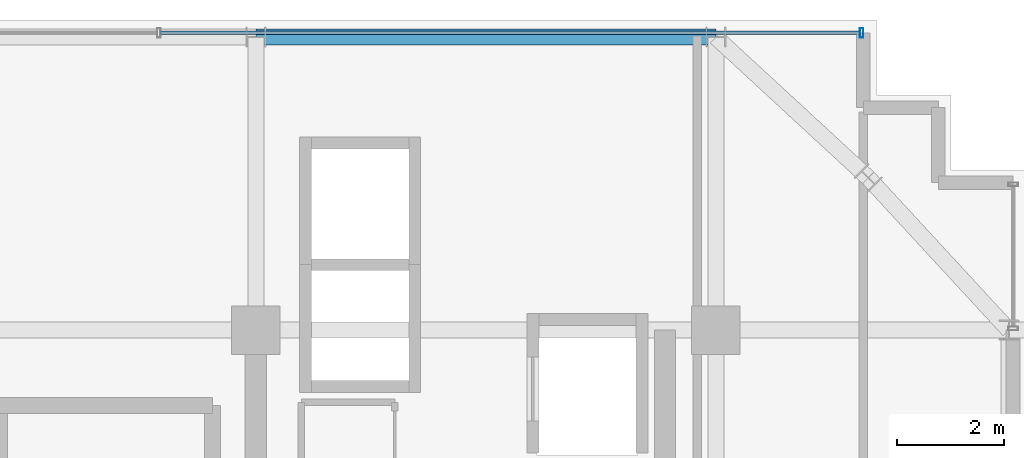
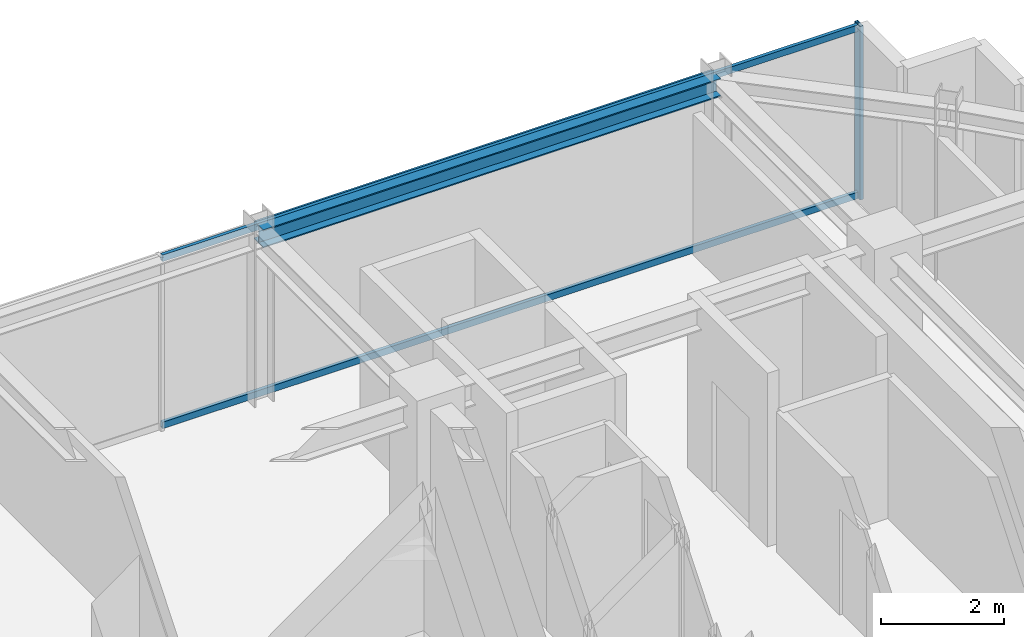
# One storey, part 25 of 33: 3 members, 1 beam, 1 element without a shape of its own.
"""IFC4 building model written with IfcOpenShell, lengths in metres."""

from ifc_helpers import new_model, si_unit, direction, frame, origin, origin_2d, place, context, subcontext, project, spatial, hollow_rectangle, i_section, extrude, source, transform, mapped, material, material_profile, profile_set, type_object, element, aggregate, save


model = new_model("IFC4")

# Units and contexts
model_context = context("Model", 3, precision=1e-05, world=origin(), true_north=direction((0.0, 1.0)))
body_context = subcontext(model_context, "Body", "Model", "MODEL_VIEW")
ifc_project = project(units=[si_unit("LENGTHUNIT", "METRE"), si_unit("AREAUNIT", "SQUARE_METRE"), si_unit("VOLUMEUNIT", "CUBIC_METRE"), si_unit("PLANEANGLEUNIT", "RADIAN"), si_unit("MASSUNIT", "GRAM", prefix="KILO")], contexts=[model_context])

# Site, building, storey
site_placement = place(None, origin())
site = spatial("IfcSite", under=ifc_project, at=site_placement, CompositionType="ELEMENT")
building_placement = place(site_placement, origin())
building = spatial("IfcBuilding", under=site, at=building_placement, Name="Nahalor Promenade Grand Hotel", CompositionType="ELEMENT")
storey_placement = place(building_placement, frame((0.0, 0.0, 270.050048828125)))
storey = spatial("IfcBuildingStorey", under=building, at=storey_placement, Name="L69", CompositionType="ELEMENT", Elevation=270.050048828125)

# Beam
ifc_material_1 = material(Name="Steel S355JR", Category="steel")
ifc_material_profile_1 = material_profile(ifc_material_1, i_section(OverallWidth=0.3, OverallDepth=0.36, WebThickness=0.0125, FlangeThickness=0.0225, at=origin_2d()), Name="HEB 360")
ifc_profile_set_1 = profile_set([ifc_material_profile_1], Name="Steel S355JR")
beam_type = type_object("IfcBeamType", Name="Beam-Spandrel-HEB360", PredefinedType="SPANDREL", material=ifc_profile_set_1)
shared_shape_1 = source(origin(), body_context, "Body", "SweptSolid", [
    extrude(i_section(OverallWidth=0.3, OverallDepth=0.36, WebThickness=0.0125, FlangeThickness=0.0225, at=origin_2d()), origin(), (0.0, 0.0, 1.0), 8.60009765625),
])
beam_placement = place(storey_placement, frame((8.39990234375, 22.47998046875, 3.27001953125), z_axis=(1.0, 0.0, 0.0), x_axis=(0.0, 1.0, 0.0)))
element("IfcBeam", 1, at=beam_placement, inside=storey, type_object=beam_type, Name="BM-L69-SP-N-4", PredefinedType="SPANDREL", context=body_context, shape_type="MappedRepresentation", body=[
    mapped(shared_shape_1, transform((0.0, 0.0, 0.0), scale=1.0)),
])

# Curtain wall, members
ifc_material_2 = material(Name="Anodised Bronze Aluminium EN AW-6063 T6", Category="aluminium")
curtain_wall_type = type_object("IfcCurtainWallType", Name="CW2 Typical Hotel Flush Bronze Unitised Curtain Wall", PredefinedType="USERDEFINED", material=ifc_material_2)
curtain_wall_placement = place(storey_placement, origin())
curtain_wall = element("IfcCurtainWall", 2, at=curtain_wall_placement, inside=storey, type_object=curtain_wall_type, Name="L69 Curtain Wall CW-L69-N-1", ObjectType="UNITISED_CURTAIN_WALL", PredefinedType="USERDEFINED")
ifc_material_profile_2 = material_profile(ifc_material_2, hollow_rectangle(XDim=0.065, YDim=0.13, WallThickness=0.004, at=origin_2d()), Name="CWT 65x130x4")
ifc_profile_set_2 = profile_set([ifc_material_profile_2], Name="Anodised Bronze Aluminium EN AW-6063 T6")
member_type_1 = type_object("IfcMemberType", Name="CWT2 Typical Bronze Transom 65x130", PredefinedType="USERDEFINED", material=ifc_profile_set_2)
shared_shape_2 = source(origin(), body_context, "Body", "SweptSolid", [
    extrude(hollow_rectangle(XDim=0.065, YDim=0.13, WallThickness=0.004, at=origin_2d()), origin(), (0.0, 0.0, 1.0), 13.075927734375),
])
member_1_placement = place(storey_placement, frame((6.619140625, 22.56005859375, 0.06494140625), z_axis=(1.0, 0.0, 0.0), x_axis=(0.0, 1.0, 0.0)))
member_1 = element("IfcMember", 3, at=member_1_placement, type_object=member_type_1, Name="CW-L69-N-1 Transom 2-0", ObjectType="TRANSOM", PredefinedType="USERDEFINED", context=body_context, shape_type="MappedRepresentation", body=[
    mapped(shared_shape_2, transform((0.0, 0.0, 0.0), scale=1.0)),
])
member_2_placement = place(storey_placement, frame((6.619140625, 22.56005859375, 3.385009765625), z_axis=(1.0, 0.0, 0.0), x_axis=(0.0, 1.0, 0.0)))
member_2 = element("IfcMember", 4, at=member_2_placement, type_object=member_type_1, Name="CW-L69-N-1 Transom 2-1", ObjectType="TRANSOM", PredefinedType="USERDEFINED", context=body_context, shape_type="MappedRepresentation", body=[
    mapped(shared_shape_2, transform((0.0, 0.0, 0.0), scale=1.0)),
])
ifc_material_profile_3 = material_profile(ifc_material_2, hollow_rectangle(XDim=0.065, YDim=0.18, WallThickness=0.004, at=origin_2d()), Name="CWM 65x180x4")
ifc_profile_set_3 = profile_set([ifc_material_profile_3], Name="Anodised Bronze Aluminium EN AW-6063 T6")
member_type_2 = type_object("IfcMemberType", Name="CWM2 Typical Bronze Mullion 65x180", PredefinedType="MULLION", material=ifc_profile_set_3)
shared_shape_3 = source(origin(), body_context, "Body", "SweptSolid", [
    extrude(hollow_rectangle(XDim=0.065, YDim=0.18, WallThickness=0.004, at=origin_2d()), origin(), (0.0, 0.0, 1.0), 3.449951171875),
])
member_3_placement = place(storey_placement, frame((19.7275390625, 22.56005859375, 0.0), z_axis=(0.0, 0.0, 1.0), x_axis=(1.0, 0.0, 0.0)))
member_3 = element("IfcMember", 5, at=member_3_placement, type_object=member_type_2, Name="CW-L69-N-1 Mullion 3", PredefinedType="MULLION", context=body_context, shape_type="MappedRepresentation", body=[
    mapped(shared_shape_3, transform((0.0, 0.0, 0.0), scale=1.0)),
])
aggregate(curtain_wall, [member_3, member_1, member_2])

save(model, "model.ifc")
